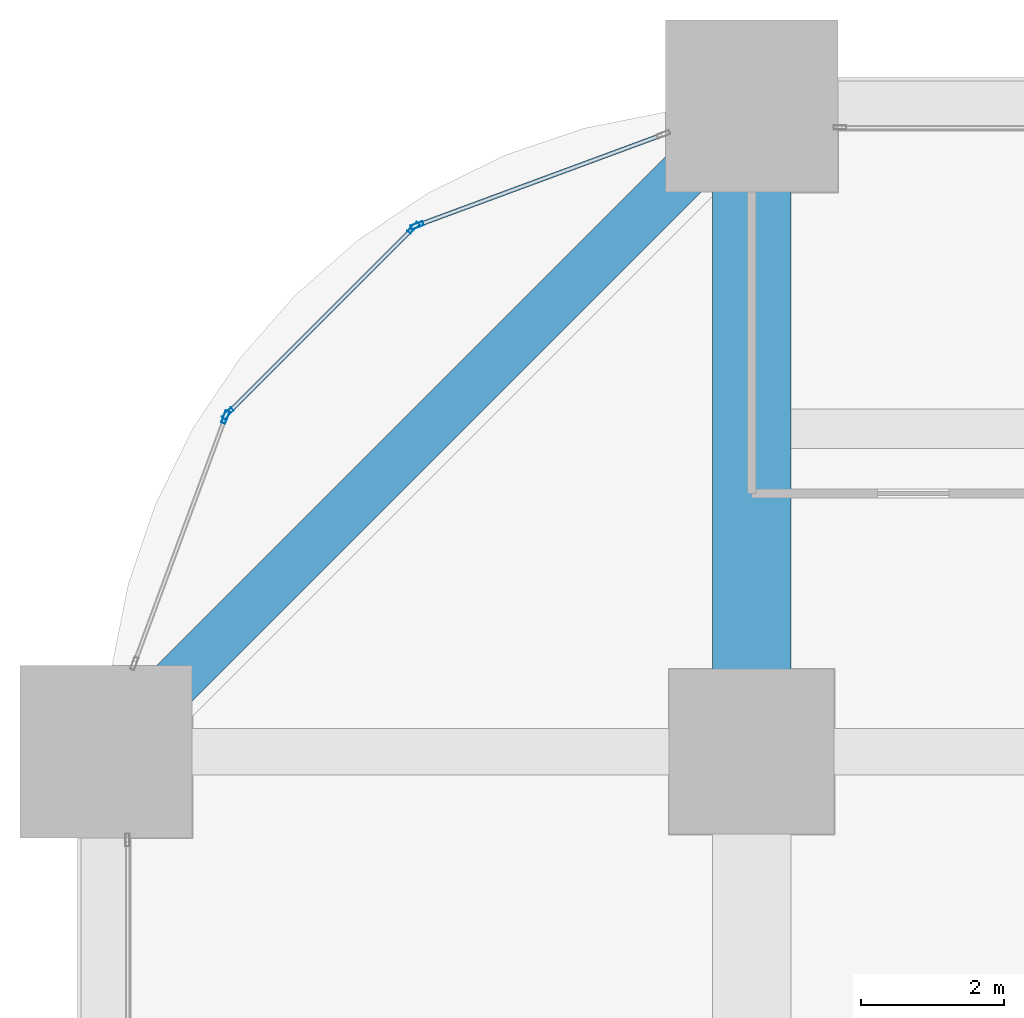
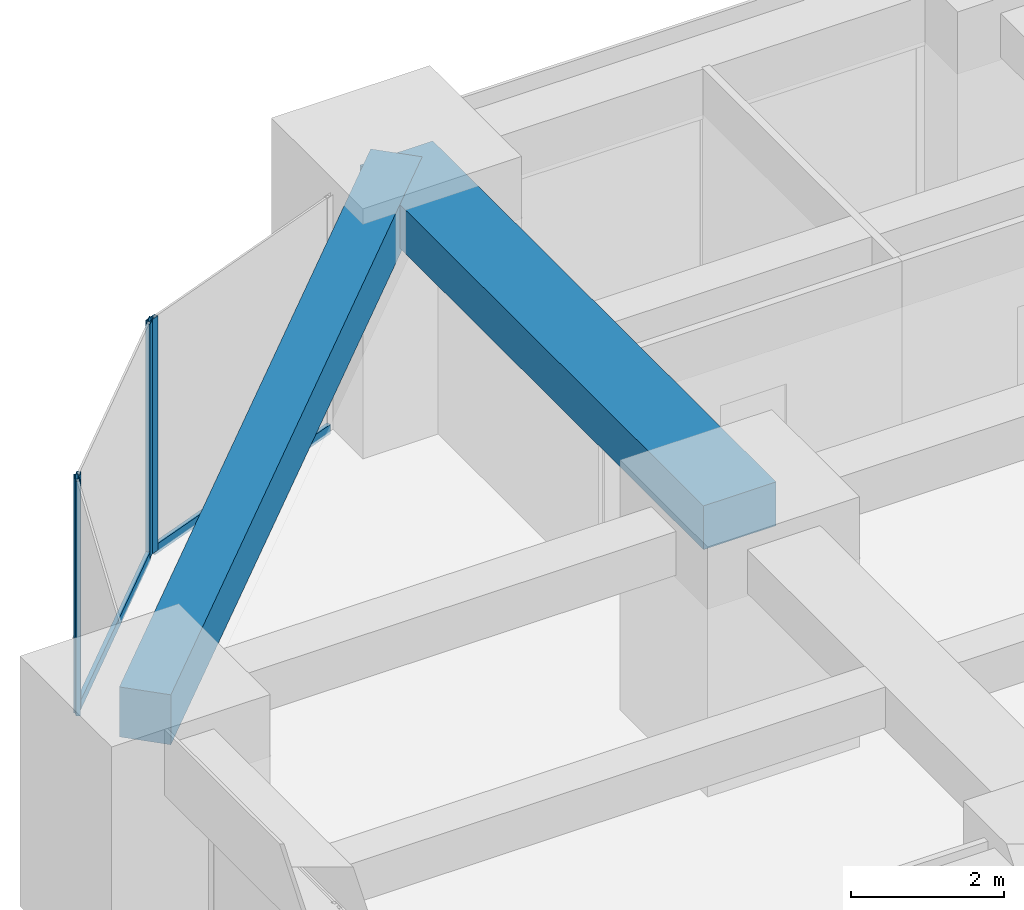
# One storey, part 27 of 44: 6 members, 2 beams, 3 elements without a shape of their own.
"""IFC4 building model written with IfcOpenShell, lengths in metres."""

from ifc_helpers import new_model, si_unit, direction, frame, origin, origin_2d, place, context, subcontext, project, spatial, rectangle, hollow_rectangle, extrude, material, material_profile, profile_set, type_object, element, aggregate, save


model = new_model("IFC4")

# Units and contexts
model_context = context("Model", 3, precision=1e-05, world=origin(), true_north=direction((0.0, 1.0)))
body_context = subcontext(model_context, "Body", "Model", "MODEL_VIEW")
ifc_project = project(units=[si_unit("LENGTHUNIT", "METRE"), si_unit("AREAUNIT", "SQUARE_METRE"), si_unit("VOLUMEUNIT", "CUBIC_METRE"), si_unit("PLANEANGLEUNIT", "RADIAN"), si_unit("MASSUNIT", "GRAM", prefix="KILO")], contexts=[model_context])

# Site, building, storey
site_placement = place(None, origin())
site = spatial("IfcSite", under=ifc_project, at=site_placement, CompositionType="ELEMENT")
building_placement = place(site_placement, origin())
building = spatial("IfcBuilding", under=site, at=building_placement, Name="Zorevar Civic Tower", CompositionType="ELEMENT")
storey_placement = place(building_placement, frame((0.0, 0.0, 43.800048828125)))
storey = spatial("IfcBuildingStorey", under=building, at=storey_placement, Name="L10", CompositionType="ELEMENT", Elevation=43.800048828125)

# Beam
ifc_material_1 = material(Name="Concrete C50/60", Category="concrete")
ifc_material_profile_1 = material_profile(ifc_material_1, rectangle(XDim=1.10009765625, YDim=0.699951171875, at=origin_2d()), Name="RC 1100x700")
ifc_profile_set_1 = profile_set([ifc_material_profile_1], Name="Concrete C50/60")
beam_type_1 = type_object("IfcBeamType", Name="Beam RC 1100x700", PredefinedType="BEAM", material=ifc_profile_set_1)
beam_1_placement = place(storey_placement, frame((9.0, 45.0, 3.39990234375), z_axis=(0.0, 1.0, 0.0), x_axis=(-1.0, 0.0, 0.0)))
element("IfcBeam", 1, at=beam_1_placement, inside=storey, type_object=beam_type_1, Name="Girder L11", PredefinedType="BEAM", context=body_context, shape_type="SweptSolid", body=[
    extrude(rectangle(XDim=1.10009765625, YDim=0.699951171875, at=origin_2d()), origin(), (0.0, 0.0, 1.0), 9.0),
])

# Curtain wall, member
ifc_material_2 = material(Name="Dark grey solar-control glass in black aluminium frame", Category="aluminium")
curtain_wall_type = type_object("IfcCurtainWallType", Name="Curtain wall CW2 low zone", PredefinedType="NOTDEFINED", material=ifc_material_2)
curtain_wall_1_placement = place(storey_placement, origin())
curtain_wall_1 = element("IfcCurtainWall", 2, at=curtain_wall_1_placement, inside=storey, type_object=curtain_wall_type, Name="CW2 L10", PredefinedType="NOTDEFINED")
ifc_material_3 = material(Name="Aluminium, black anodised", Category="aluminium")
ifc_material_profile_2 = material_profile(ifc_material_3, hollow_rectangle(XDim=0.06005859375, YDim=0.179931640625, WallThickness=0.00390625, at=origin_2d()), Name="AL 180x60x4")
ifc_profile_set_2 = profile_set([ifc_material_profile_2], Name="Aluminium, black anodised")
member_type_1 = type_object("IfcMemberType", Name="CW2 mullion AL 180x60x4", PredefinedType="MULLION", material=ifc_profile_set_2)
member_1_placement = place(storey_placement, frame((4.33544921875, 52.336181640625, 0.0), z_axis=(0.0, 0.0, 1.0), x_axis=(0.346704012033, -0.937974588163, 0.0)))
member_1 = element("IfcMember", 3, at=member_1_placement, type_object=member_type_1, Name="CW2 mullion 2", PredefinedType="MULLION", context=body_context, shape_type="SweptSolid", body=[
    extrude(hollow_rectangle(XDim=0.06005859375, YDim=0.179931640625, WallThickness=0.00390625, at=origin_2d()), origin(), (0.0, 0.0, 1.0), 3.75),
])

# Curtain wall, members
curtain_wall_2_placement = place(storey_placement, origin())
curtain_wall_2 = element("IfcCurtainWall", 4, at=curtain_wall_2_placement, inside=storey, type_object=curtain_wall_type, Name="CW2 L10", PredefinedType="NOTDEFINED")
member_2_placement = place(storey_placement, frame((4.2861328125, 52.3046875, 0.0), z_axis=(0.0, 0.0, 1.0), x_axis=(0.707106781187, -0.707106781187, 0.0)))
member_2 = element("IfcMember", 5, at=member_2_placement, type_object=member_type_1, Name="CW2 mullion 1", PredefinedType="MULLION", context=body_context, shape_type="SweptSolid", body=[
    extrude(hollow_rectangle(XDim=0.06005859375, YDim=0.179931640625, WallThickness=0.00390625, at=origin_2d()), origin(), (0.0, 0.0, 1.0), 3.75),
])
member_3_placement = place(storey_placement, frame((1.6953125, 49.7138671875, 0.0), z_axis=(0.0, 0.0, 1.0), x_axis=(0.707106781187, -0.707106781187, 0.0)))
member_3 = element("IfcMember", 6, at=member_3_placement, type_object=member_type_1, Name="CW2 mullion 2", PredefinedType="MULLION", context=body_context, shape_type="SweptSolid", body=[
    extrude(hollow_rectangle(XDim=0.06005859375, YDim=0.179931640625, WallThickness=0.00390625, at=origin_2d()), origin(), (0.0, 0.0, 1.0), 3.75),
])

# Curtain wall, member
curtain_wall_3_placement = place(storey_placement, origin())
curtain_wall_3 = element("IfcCurtainWall", 7, at=curtain_wall_3_placement, inside=storey, type_object=curtain_wall_type, Name="CW2 L10", PredefinedType="NOTDEFINED")
member_4_placement = place(storey_placement, frame((1.663818359375, 49.66455078125, 0.0), z_axis=(0.0, 0.0, 1.0), x_axis=(0.937974588163, -0.346704012033, 0.0)))
member_4 = element("IfcMember", 8, at=member_4_placement, type_object=member_type_1, Name="CW2 mullion 1", PredefinedType="MULLION", context=body_context, shape_type="SweptSolid", body=[
    extrude(hollow_rectangle(XDim=0.06005859375, YDim=0.179931640625, WallThickness=0.00390625, at=origin_2d()), origin(), (0.0, 0.0, 1.0), 3.75),
])
aggregate(curtain_wall_3, [member_4])

# Member
ifc_material_4 = material(Name="Aluminium, black anodised", Category="aluminium")
ifc_material_profile_3 = material_profile(ifc_material_4, hollow_rectangle(XDim=0.06005859375, YDim=0.14990234375, WallThickness=0.00390625, at=origin_2d()), Name="AL 150x60x4")
ifc_profile_set_3 = profile_set([ifc_material_profile_3], Name="Aluminium, black anodised")
member_type_2 = type_object("IfcMemberType", Name="CW2 transom AL 150x60x4", PredefinedType="USERDEFINED", material=ifc_profile_set_3)
member_5_placement = place(storey_placement, frame((7.74365234375, 53.595947265625, 0.030029296875), z_axis=(-0.93798635741, -0.346672169799, 0.0), x_axis=(0.346672169799, -0.93798635741, 0.0)))
member_5 = element("IfcMember", 9, at=member_5_placement, type_object=member_type_2, Name="CW2 sill transom", ObjectType="TRANSOM", PredefinedType="USERDEFINED", context=body_context, shape_type="SweptSolid", body=[
    extrude(hollow_rectangle(XDim=0.06005859375, YDim=0.14990234375, WallThickness=0.00390625, at=origin_2d()), origin(), (0.0, 0.0, 1.0), 3.603515625),
])

aggregate(curtain_wall_1, [member_1, member_5])

member_6_placement = place(storey_placement, frame((4.264892578125, 52.283447265625, 0.030029296875), z_axis=(-0.707106781187, -0.707106781187, 0.0), x_axis=(0.707106781187, -0.707106781187, 0.0)))
member_6 = element("IfcMember", 10, at=member_6_placement, type_object=member_type_2, Name="CW2 sill transom", ObjectType="TRANSOM", PredefinedType="USERDEFINED", context=body_context, shape_type="SweptSolid", body=[
    extrude(hollow_rectangle(XDim=0.06005859375, YDim=0.14990234375, WallThickness=0.00390625, at=origin_2d()), origin(), (0.0, 0.0, 1.0), 3.60400390625),
])

aggregate(curtain_wall_2, [member_2, member_3, member_6])

# Beam
ifc_material_5 = material(Name="Concrete C50/60", Category="concrete")
ifc_material_profile_4 = material_profile(ifc_material_5, rectangle(XDim=0.699951171875, YDim=0.800048828125, at=origin_2d()), Name="RC 700x800")
ifc_profile_set_4 = profile_set([ifc_material_profile_4], Name="Concrete C50/60")
beam_type_2 = type_object("IfcBeamType", Name="Edge beam RC 700x800", PredefinedType="SPANDREL", material=ifc_profile_set_4)
beam_2_placement = place(storey_placement, frame((9.0, 54.0, 3.349853515625), z_axis=(-0.707106781187, -0.707106781187, 0.0), x_axis=(0.707106781187, -0.707106781187, 0.0)))
element("IfcBeam", 11, at=beam_2_placement, inside=storey, type_object=beam_type_2, Name="Corner edge beam L11", PredefinedType="SPANDREL", context=body_context, shape_type="SweptSolid", body=[
    extrude(rectangle(XDim=0.699951171875, YDim=0.800048828125, at=origin_2d()), origin(), (0.0, 0.0, 1.0), 12.72802734375),
])

save(model, "model.ifc")
